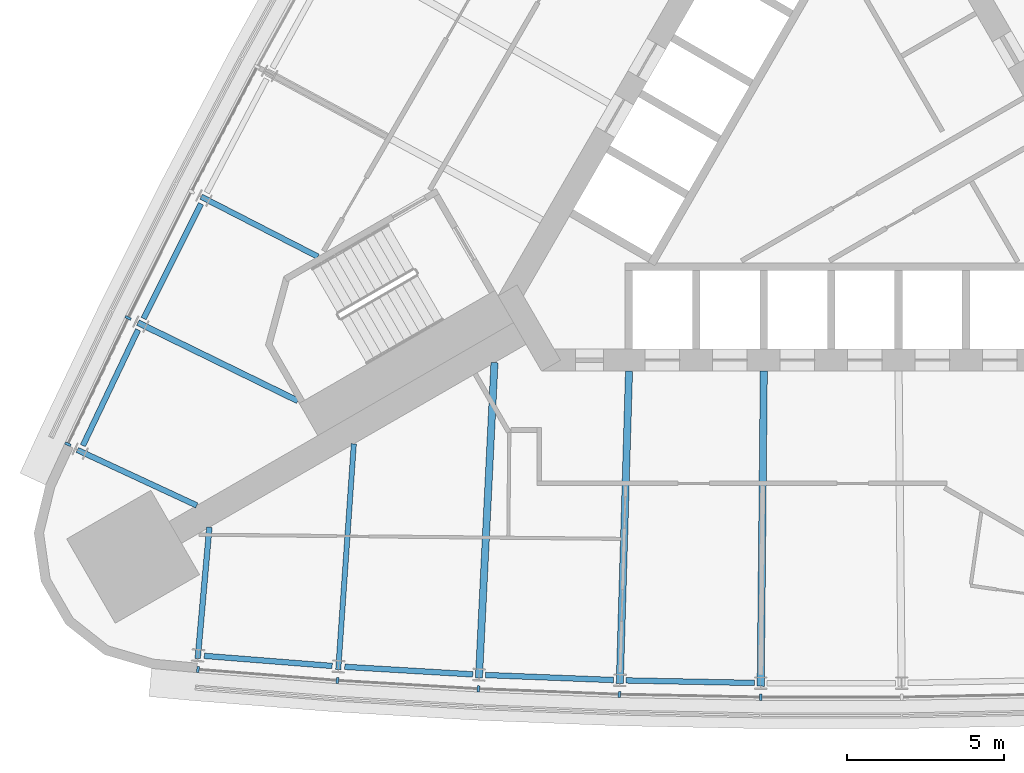
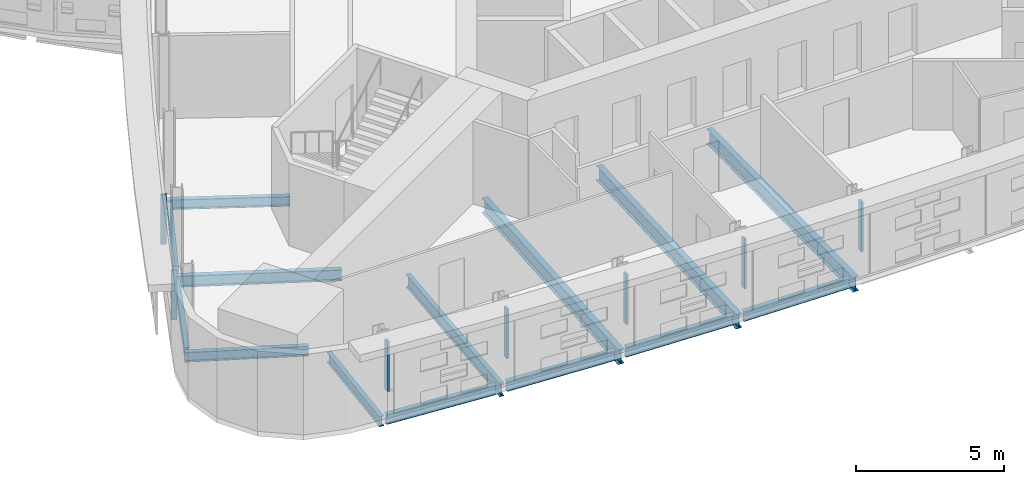
# One storey, part 4 of 17: 14 beams, 7 members, 2 elements without a shape of their own.
"""IFC4 building model written with IfcOpenShell, lengths in metres."""

from ifc_helpers import new_model, si_unit, direction, frame, origin, origin_2d, place, context, subcontext, project, spatial, rectangle, i_section, extrude, material, material_profile, profile_set, type_object, element, aggregate, save


model = new_model("IFC4")

# Units and contexts
model_context = context("Model", 3, precision=1e-05, world=origin(), true_north=direction((0.0, 1.0)))
body_context = subcontext(model_context, "Body", "Model", "MODEL_VIEW")
ifc_project = project(units=[si_unit("LENGTHUNIT", "METRE"), si_unit("AREAUNIT", "SQUARE_METRE"), si_unit("VOLUMEUNIT", "CUBIC_METRE"), si_unit("PLANEANGLEUNIT", "RADIAN"), si_unit("MASSUNIT", "GRAM", prefix="KILO")], contexts=[model_context])

# Site, building, storey
site_placement = place(None, origin())
site = spatial("IfcSite", under=ifc_project, at=site_placement, CompositionType="ELEMENT")
building_placement = place(site_placement, origin())
building = spatial("IfcBuilding", under=site, at=building_placement, Name="Noor Cloister Tower", CompositionType="ELEMENT")
storey_placement = place(building_placement, frame((0.0, 0.0, 102.300048828125)))
storey = spatial("IfcBuildingStorey", under=building, at=storey_placement, Name="L26", CompositionType="ELEMENT", Elevation=102.300048828125)

# Curtain wall, members
ifc_material_1 = material(Name="Aluminium 6063-T6 anodised", Category="aluminium")
curtain_wall_type = type_object("IfcCurtainWallType", Name="Ribbon curtain wall, lower tower CW1", PredefinedType="NOTDEFINED", material=ifc_material_1)
curtain_wall_1_placement = place(storey_placement, origin())
curtain_wall_1 = element("IfcCurtainWall", 1, at=curtain_wall_1_placement, inside=storey, type_object=curtain_wall_type, Name="CW1 L26 NW run 2", PredefinedType="NOTDEFINED")
ifc_material_2 = material(Name="Aluminium 6063-T6 anodised", Category="aluminium")
ifc_material_profile_1 = material_profile(ifc_material_2, rectangle(XDim=0.199951171875, YDim=0.080078125, at=origin_2d()), Name="200 x 80 mullion")
ifc_profile_set_1 = profile_set([ifc_material_profile_1], Name="Aluminium 6063-T6 anodised")
member_type = type_object("IfcMemberType", Name="Mullion CW1 80 x 200", PredefinedType="MULLION", material=ifc_profile_set_1)
member_1_placement = place(storey_placement, frame((-22.40185546875, -5.23046875, 1.099853515625), z_axis=(0.0, 0.0, 1.0), x_axis=(0.898389614214, -0.439199386466, 0.0)))
member_1 = element("IfcMember", 2, at=member_1_placement, type_object=member_type, Name="CW1 mullion 4", PredefinedType="MULLION", context=body_context, shape_type="SweptSolid", body=[
    extrude(rectangle(XDim=0.199951171875, YDim=0.080078125, at=origin_2d()), origin(), (0.0, 0.0, 1.0), 2.050048828125),
])
member_2_placement = place(storey_placement, frame((-24.32080078125, -9.25537109375, 1.099853515625), z_axis=(0.0, 0.0, 1.0), x_axis=(0.902668475712, -0.430336639105, 0.0)))
member_2 = element("IfcMember", 3, at=member_2_placement, type_object=member_type, Name="CW1 mullion 5", PredefinedType="MULLION", context=body_context, shape_type="SweptSolid", body=[
    extrude(rectangle(XDim=0.199951171875, YDim=0.080078125, at=origin_2d()), origin(), (0.0, 0.0, 1.0), 2.050048828125),
])
aggregate(curtain_wall_1, [member_1, member_2])

curtain_wall_2_placement = place(storey_placement, origin())
curtain_wall_2 = element("IfcCurtainWall", 4, at=curtain_wall_2_placement, inside=storey, type_object=curtain_wall_type, Name="CW1 L26 S run 3", PredefinedType="NOTDEFINED")
member_3_placement = place(storey_placement, frame((-20.17578125, -16.434814453125, 1.099853515625), z_axis=(0.0, 0.0, 1.0), x_axis=(0.078651776212, 0.996902150714, 0.0)))
member_3 = element("IfcMember", 5, at=member_3_placement, type_object=member_type, Name="CW1 mullion 1", PredefinedType="MULLION", context=body_context, shape_type="SweptSolid", body=[
    extrude(rectangle(XDim=0.199951171875, YDim=0.080078125, at=origin_2d()), origin(), (0.0, 0.0, 1.0), 2.050048828125),
])
member_4_placement = place(storey_placement, frame((-15.730712890625, -16.785400390625, 1.099853515625), z_axis=(0.0, 0.0, 1.0), x_axis=(0.068836981101, 0.997627921639, 0.0)))
member_4 = element("IfcMember", 6, at=member_4_placement, type_object=member_type, Name="CW1 mullion 2", PredefinedType="MULLION", context=body_context, shape_type="SweptSolid", body=[
    extrude(rectangle(XDim=0.199951171875, YDim=0.080078125, at=origin_2d()), origin(), (0.0, 0.0, 1.0), 2.050048828125),
])
member_5_placement = place(storey_placement, frame((-11.240478515625, -17.05078125, 1.099853515625), z_axis=(0.0, 0.0, 1.0), x_axis=(0.049188322705, 0.998789521826, 0.0)))
member_5 = element("IfcMember", 7, at=member_5_placement, type_object=member_type, Name="CW1 mullion 3", PredefinedType="MULLION", context=body_context, shape_type="SweptSolid", body=[
    extrude(rectangle(XDim=0.199951171875, YDim=0.080078125, at=origin_2d()), origin(), (0.0, 0.0, 1.0), 2.050048828125),
])
member_6_placement = place(storey_placement, frame((-6.74609375, -17.227783203125, 1.099853515625), z_axis=(0.0, 0.0, 1.0), x_axis=(0.029520625259, 0.999564171369, 0.0)))
member_6 = element("IfcMember", 8, at=member_6_placement, type_object=member_type, Name="CW1 mullion 4", PredefinedType="MULLION", context=body_context, shape_type="SweptSolid", body=[
    extrude(rectangle(XDim=0.199951171875, YDim=0.080078125, at=origin_2d()), origin(), (0.0, 0.0, 1.0), 2.050048828125),
])
member_7_placement = place(storey_placement, frame((-2.2490234375, -17.31640625, 1.099853515625), z_axis=(0.0, 0.0, 1.0), x_axis=(0.009841473527, 0.999951571527, 0.0)))
member_7 = element("IfcMember", 9, at=member_7_placement, type_object=member_type, Name="CW1 mullion 5", PredefinedType="MULLION", context=body_context, shape_type="SweptSolid", body=[
    extrude(rectangle(XDim=0.199951171875, YDim=0.080078125, at=origin_2d()), origin(), (0.0, 0.0, 1.0), 2.050048828125),
])
aggregate(curtain_wall_2, [member_3, member_4, member_5, member_6, member_7])

# Beams
ifc_material_3 = material(Name="Steel ASTM A992 Gr 50", Category="steel")
ifc_material_profile_2 = material_profile(ifc_material_3, i_section(OverallWidth=0.177978515625, OverallDepth=0.406005859375, WebThickness=0.0078125, FlangeThickness=0.0126953125, FilletRadius=0.01025390625, at=origin_2d()), Name="W410x60")
ifc_profile_set_2 = profile_set([ifc_material_profile_2], Name="Steel ASTM A992 Gr 50")
beam_type_1 = type_object("IfcBeamType", Name="Radial beam W410x60", PredefinedType="BEAM", material=ifc_profile_set_2)
beam_1_placement = place(storey_placement, frame((-20.075927734375, -1.368896484375, -0.403076171875), z_axis=(0.889580472354, -0.456778483739, 0.0), x_axis=(0.456778483739, 0.889580472354, 0.0)))
element("IfcBeam", 10, at=beam_1_placement, inside=storey, type_object=beam_type_1, Name="Radial beam NW 08 L26", PredefinedType="BEAM", context=body_context, shape_type="SweptSolid", body=[
    extrude(i_section(OverallWidth=0.177978515625, OverallDepth=0.406005859375, WebThickness=0.0078125, FlangeThickness=0.0126953125, FilletRadius=0.01025390625, at=origin_2d()), origin(), (0.0, 0.0, 1.0), 4.18505859375),
])
beam_2_placement = place(storey_placement, frame((-24.0205078125, -9.43798828125, -0.403076171875), z_axis=(0.906851874526, -0.421449495989, 0.0), x_axis=(0.421449495989, 0.906851874526, 0.0)))
element("IfcBeam", 11, at=beam_2_placement, inside=storey, type_object=beam_type_1, Name="Radial beam NW 10 L26", PredefinedType="BEAM", context=body_context, shape_type="SweptSolid", body=[
    extrude(i_section(OverallWidth=0.177978515625, OverallDepth=0.406005859375, WebThickness=0.0078125, FlangeThickness=0.0126953125, FilletRadius=0.01025390625, at=origin_2d()), origin(), (0.0, 0.0, 1.0), 4.19921875),
])
beam_3_placement = place(storey_placement, frame((-20.183837890625, -16.08349609375, -0.403076171875), z_axis=(0.088480829531, 0.99607787989, 0.0), x_axis=(-0.99607787989, 0.088480829531, 0.0)))
element("IfcBeam", 12, at=beam_3_placement, inside=storey, type_object=beam_type_1, Name="Radial beam S 01 L26", PredefinedType="BEAM", context=body_context, shape_type="SweptSolid", body=[
    extrude(i_section(OverallWidth=0.177978515625, OverallDepth=0.406005859375, WebThickness=0.0078125, FlangeThickness=0.0126953125, FilletRadius=0.01025390625, at=origin_2d()), origin(), (0.0, 0.0, 1.0), 4.199462890625),
])
ifc_material_4 = material(Name="Steel ASTM A992 Gr 50", Category="steel")
ifc_material_profile_3 = material_profile(ifc_material_4, i_section(OverallWidth=0.19091796875, OverallDepth=0.45703125, WebThickness=0.009033203125, FlangeThickness=0.014404296875, FilletRadius=0.01025390625, at=origin_2d()), Name="W460x74")
ifc_profile_set_3 = profile_set([ifc_material_profile_3], Name="Steel ASTM A992 Gr 50")
beam_type_2 = type_object("IfcBeamType", Name="Radial beam W460x74", PredefinedType="BEAM", material=ifc_profile_set_3)
beam_4_placement = place(storey_placement, frame((-22.087890625, -5.384033203125, -0.428466796875), z_axis=(0.898398339132, -0.439181539052, 0.0), x_axis=(0.439181539052, 0.898398339132, 0.0)))
element("IfcBeam", 13, at=beam_4_placement, inside=storey, type_object=beam_type_2, Name="Radial beam NW 09 L26", PredefinedType="BEAM", context=body_context, shape_type="SweptSolid", body=[
    extrude(i_section(OverallWidth=0.19091796875, OverallDepth=0.45703125, WebThickness=0.009033203125, FlangeThickness=0.014404296875, FilletRadius=0.01025390625, at=origin_2d()), origin(), (0.0, 0.0, 1.0), 5.666259765625),
])
ifc_material_5 = material(Name="Steel ASTM A992 Gr 50", Category="steel")
ifc_material_profile_4 = material_profile(ifc_material_5, i_section(OverallWidth=0.166015625, OverallDepth=0.528076171875, WebThickness=0.009765625, FlangeThickness=0.013671875, FilletRadius=0.0126953125, at=origin_2d()), Name="W530x74")
ifc_profile_set_4 = profile_set([ifc_material_profile_4], Name="Steel ASTM A992 Gr 50")
beam_type_3 = type_object("IfcBeamType", Name="Radial beam W530x74", PredefinedType="BEAM", material=ifc_profile_set_4)
beam_5_placement = place(storey_placement, frame((-15.70654296875, -16.436767578125, -0.464111328125), z_axis=(0.06883811579, 0.997627843344, 0.0), x_axis=(-0.997627843344, 0.06883811579, 0.0)))
element("IfcBeam", 14, at=beam_5_placement, inside=storey, type_object=beam_type_3, Name="Radial beam S 02 L26", PredefinedType="BEAM", context=body_context, shape_type="SweptSolid", body=[
    extrude(i_section(OverallWidth=0.166015625, OverallDepth=0.528076171875, WebThickness=0.009765625, FlangeThickness=0.013671875, FilletRadius=0.0126953125, at=origin_2d()), origin(), (0.0, 0.0, 1.0), 7.210205078125),
])
ifc_material_6 = material(Name="Steel ASTM A992 Gr 50", Category="steel")
ifc_material_profile_5 = material_profile(ifc_material_6, i_section(OverallWidth=0.22802734375, OverallDepth=0.60205078125, WebThickness=0.010498046875, FlangeThickness=0.014892578125, FilletRadius=0.0126953125, at=origin_2d()), Name="W610x101")
ifc_profile_set_5 = profile_set([ifc_material_profile_5], Name="Steel ASTM A992 Gr 50")
beam_type_4 = type_object("IfcBeamType", Name="Radial beam W610x101", PredefinedType="BEAM", material=ifc_profile_set_5)
beam_6_placement = place(storey_placement, frame((-11.223388671875, -16.701904296875, -0.5009765625), z_axis=(0.049201541775, 0.998788870726, 0.0), x_axis=(-0.998788870726, 0.049201541775, 0.0)))
element("IfcBeam", 15, at=beam_6_placement, inside=storey, type_object=beam_type_4, Name="Radial beam S 03 L26", PredefinedType="BEAM", context=body_context, shape_type="SweptSolid", body=[
    extrude(i_section(OverallWidth=0.22802734375, OverallDepth=0.60205078125, WebThickness=0.010498046875, FlangeThickness=0.014892578125, FilletRadius=0.0126953125, at=origin_2d()), origin(), (0.0, 0.0, 1.0), 10.05810546875),
])
beam_7_placement = place(storey_placement, frame((-6.73583984375, -16.878662109375, -0.5009765625), z_axis=(0.029528056482, 0.999563951871, 0.0), x_axis=(-0.999563951871, 0.029528056482, 0.0)))
element("IfcBeam", 16, at=beam_7_placement, inside=storey, type_object=beam_type_4, Name="Radial beam S 04 L26", PredefinedType="BEAM", context=body_context, shape_type="SweptSolid", body=[
    extrude(i_section(OverallWidth=0.22802734375, OverallDepth=0.60205078125, WebThickness=0.010498046875, FlangeThickness=0.014892578125, FilletRadius=0.0126953125, at=origin_2d()), origin(), (0.0, 0.0, 1.0), 9.954833984375),
])
beam_8_placement = place(storey_placement, frame((-2.24560546875, -16.967041015625, -0.5009765625), z_axis=(0.009848983597, 0.999951497585, 0.0), x_axis=(-0.999951497585, 0.009848983597, 0.0)))
element("IfcBeam", 17, at=beam_8_placement, inside=storey, type_object=beam_type_4, Name="Radial beam S 05 L26", PredefinedType="BEAM", context=body_context, shape_type="SweptSolid", body=[
    extrude(i_section(OverallWidth=0.22802734375, OverallDepth=0.60205078125, WebThickness=0.010498046875, FlangeThickness=0.014892578125, FilletRadius=0.0126953125, at=origin_2d()), origin(), (0.0, 0.0, 1.0), 10.039306640625),
])
ifc_material_7 = material(Name="Steel ASTM A992 Gr 50", Category="steel")
ifc_material_profile_6 = material_profile(ifc_material_7, i_section(OverallWidth=0.177978515625, OverallDepth=0.406005859375, WebThickness=0.0078125, FlangeThickness=0.0126953125, FilletRadius=0.01025390625, at=origin_2d()), Name="W410x60")
ifc_profile_set_6 = profile_set([ifc_material_profile_6], Name="Steel ASTM A992 Gr 50")
beam_type_5 = type_object("IfcBeamType", Name="Spandrel beam W410x60", PredefinedType="SPANDREL", material=ifc_profile_set_6)
for number, where, z_axis, x_axis, name in (
    (18, (-20.076171875, -1.593994140625, -0.403076171875), (-0.448025614309, -0.894020720634, 0.0), (0.894020720634, -0.448025614309, 0.0), "Spandrel beam NW 08 L26"),
    (19, (-22.083984375, -5.609130859375, -0.403076171875), (-0.430341530423, -0.902666143817, 0.0), (0.902666143817, -0.430341530423, 0.0), "Spandrel beam NW 09 L26"),
    (20, (-19.97509765625, -15.999267578125, -0.403076171875), (0.996902216322, -0.078650944641, 0.0), (0.078650944641, 0.996902216322, 0.0), "Spandrel beam S 01 L26"),
    (21, (-15.49951171875, -16.348388671875, -0.403076171875), (0.998257859765, -0.059002079771, 0.0), (0.059002079771, 0.998257859765, 0.0), "Spandrel beam S 02 L26"),
    (22, (-11.01806640625, -16.609375, -0.403076171875), (0.999225288123, -0.039355095916, 0.0), (0.039355095916, 0.999225288123, 0.0), "Spandrel beam S 03 L26"),
):
    element("IfcBeam", number, at=place(storey_placement, frame(where, z_axis=z_axis, x_axis=x_axis)), inside=storey, type_object=beam_type_5, Name=name, PredefinedType="SPANDREL", context=body_context, shape_type="SweptSolid", body=[
        extrude(i_section(OverallWidth=0.177978515625, OverallDepth=0.406005859375, WebThickness=0.0078125, FlangeThickness=0.0126953125, FilletRadius=0.01025390625, at=origin_2d()), origin(), (0.0, 0.0, 1.0), 4.088134765625),
    ])
beam_9_placement = place(storey_placement, frame((-6.5322265625, -16.781982421875, -0.403076171875), z_axis=(0.999805773471, -0.019708255495, 0.0), x_axis=(0.019708255495, 0.999805773471, 0.0)))
element("IfcBeam", 23, at=beam_9_placement, inside=storey, type_object=beam_type_5, Name="Spandrel beam S 04 L26", PredefinedType="SPANDREL", context=body_context, shape_type="SweptSolid", body=[
    extrude(i_section(OverallWidth=0.177978515625, OverallDepth=0.406005859375, WebThickness=0.0078125, FlangeThickness=0.0126953125, FilletRadius=0.01025390625, at=origin_2d()), origin(), (0.0, 0.0, 1.0), 4.087890625),
])

save(model, "model.ifc")
